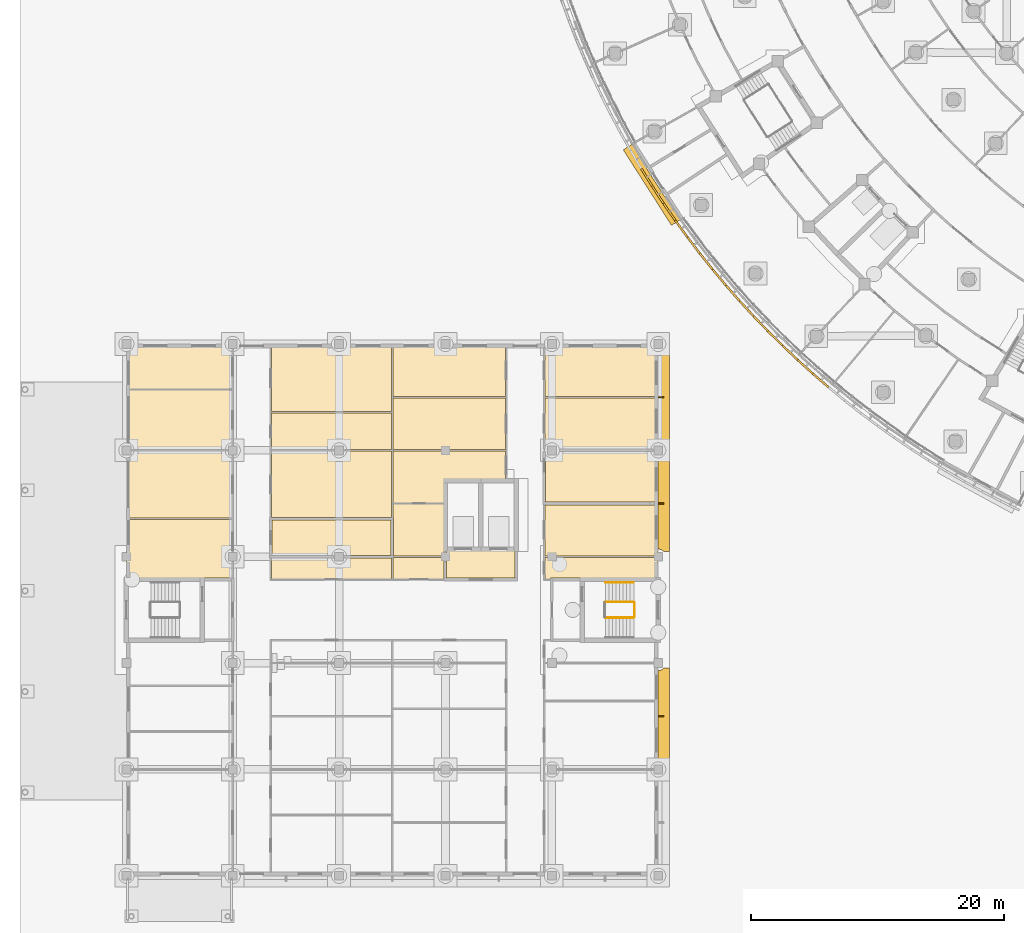
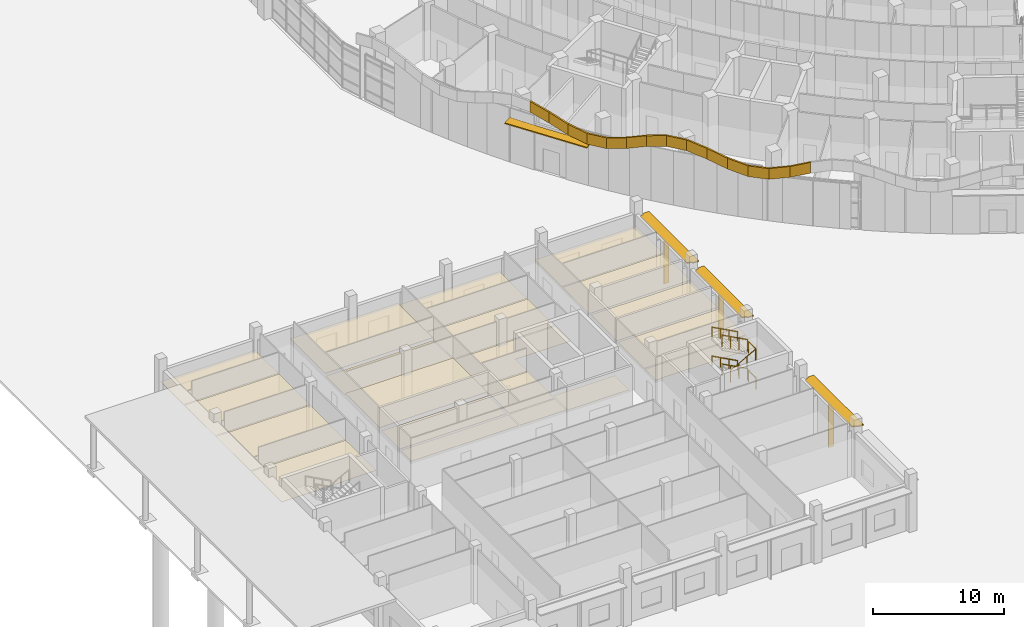
# One storey, part 118 of 146: 34 coverings, 7 railings, 7 shading devices.
"""IFC4 building model written with IfcOpenShell, lengths in metres."""

from ifc_helpers import new_model, si_unit, direction, frame, origin, origin_2d, place, context, subcontext, project, spatial, polyline, rectangle, circle, outline, extrude, material, layer, layer_set, material_profile, profile_set, type_object, element, save


model = new_model("IFC4")

# Units and contexts
model_context = context("Model", 3, precision=1e-05, world=origin(), true_north=direction((0.0, 1.0)))
body_context = subcontext(model_context, "Body", "Model", "MODEL_VIEW")
ifc_project = project(units=[si_unit("LENGTHUNIT", "METRE"), si_unit("AREAUNIT", "SQUARE_METRE"), si_unit("VOLUMEUNIT", "CUBIC_METRE"), si_unit("PLANEANGLEUNIT", "RADIAN"), si_unit("MASSUNIT", "GRAM", prefix="KILO")], contexts=[model_context])

# Site, building, storey
site_placement = place(None, origin())
site = spatial("IfcSite", under=ifc_project, at=site_placement, CompositionType="ELEMENT")
building_placement = place(site_placement, origin())
building = spatial("IfcBuilding", under=site, at=building_placement, Name="Bougainvillea Quay General Hospital", CompositionType="ELEMENT")
storey_placement = place(building_placement, origin())
storey = spatial("IfcBuildingStorey", under=building, at=storey_placement, Name="L00", CompositionType="ELEMENT", Elevation=0.0)

# Coverings
ifc_material_1 = material(Name="Powder-coated aluminium fascia, red", Category="aluminium")
ifc_layer_1 = layer(ifc_material_1, 0.14990234375)
ifc_layer_set_1 = layer_set([ifc_layer_1], Name="Powder-coated aluminium fascia, red")
covering_type_1 = type_object("IfcCoveringType", Name="Aluminium wave fascia ribbon red 150x1000", PredefinedType="CLADDING", material=ifc_layer_set_1)
covering_1_placement = place(storey_placement, frame((49.122314453125, 89.492919921875, 5.597412109375), z_axis=(0.147817272127, -0.236962457779, 0.960207710688), x_axis=(0.508120238181, -0.814746998776, -0.27928686245)))
element("IfcCovering", 1, at=covering_1_placement, inside=storey, type_object=covering_type_1, Name="Fascia ribbon red a01 11", PredefinedType="CLADDING", context=body_context, shape_type="SweptSolid", body=[
    extrude(outline(polyline([(0.0, 0.0), (1.6975355557701903, 1.8230181903985954e-16), (1.6993767831091506, -0.14986279782741968), (-0.0018108901758234362, -0.1499697204676549), (0.0, 0.0)])), origin(), (-0.27928686245, -2.8258346e-05, 0.960207710688), 1.0),
])
covering_2_placement = place(storey_placement, frame((49.98486328125, 88.10986328125, 5.122802734375), z_axis=(0.190049869453, -0.289586373781, 0.938094227272), x_axis=(0.51477122867, -0.784239352531, -0.346380166977)))
element("IfcCovering", 2, at=covering_2_placement, inside=storey, type_object=covering_type_1, Name="Fascia ribbon red a01 12", PredefinedType="CLADDING", context=body_context, shape_type="SweptSolid", body=[
    extrude(outline(polyline([(0.0, 0.0), (1.7376887107603451, 1.5341460740669888e-16), (1.7395197439140113, -0.15004255603412398), (-0.0018536718836691744, -0.1498636067514649), (0.0, 0.0)])), origin(), (-0.346380166977, 2.6146869e-05, 0.938094227272), 1.0),
])
covering_3_placement = place(storey_placement, frame((50.87939453125, 86.7470703125, 4.5205078125), z_axis=(0.129560154703, -0.189509569707, 0.973293526796), x_axis=(0.552734553197, -0.8011152955, -0.229562185514)))
element("IfcCovering", 3, at=covering_3_placement, inside=storey, type_object=covering_type_1, Name="Fascia ribbon red a01 13", PredefinedType="CLADDING", context=body_context, shape_type="SweptSolid", body=[
    extrude(outline(polyline([(0.0, 0.0), (1.674916877923805, -1.22514845490862e-16), (1.6765236145627005, -0.1499589303087575), (-0.0017923920800054752, -0.15004146523971088), (0.0, 0.0)])), origin(), (-0.229562185514, 0.000955865719, 0.973293526796), 1.0),
])
covering_4_placement = place(storey_placement, frame((51.80517578125, 85.4052734375, 4.1357421875), z_axis=(-0.019197556687, 0.026529956811, 0.999463663776), x_axis=(0.586520285031, -0.809272247792, 0.032747277754)))
element("IfcCovering", 4, at=covering_4_placement, inside=storey, type_object=covering_type_1, Name="Fascia ribbon red a01 14", PredefinedType="CLADDING", context=body_context, shape_type="SweptSolid", body=[
    extrude(outline(polyline([(0.0, 0.0), (1.630879858922105, -3.781578593016824e-17), (1.6325983994912918, -0.14989426982863344), (-0.0019411150799310828, -0.14995416981363946), (0.0, 0.0)])), origin(), (0.032747277754, -2.4307978e-05, 0.999463663776), 1.0),
])
covering_5_placement = place(storey_placement, frame((52.76171875, 84.08544921875, 4.189453125), z_axis=(-0.164671176502, 0.216462917499, 0.962303075427), x_axis=(0.582741164634, -0.765793670279, 0.271979391868)))
element("IfcCovering", 5, at=covering_5_placement, inside=storey, type_object=covering_type_1, Name="Fascia ribbon red a01 15", PredefinedType="CLADDING", context=body_context, shape_type="SweptSolid", body=[
    extrude(outline(polyline([(0.0, 0.0), (1.6938255398596371, -7.20113530437716e-17), (1.6956283966227812, -0.15011342609208686), (-0.0018444505922997575, -0.14989358044890838), (0.0, 0.0)])), origin(), (0.271979391868, -3.7708001e-05, 0.962303075427), 1.0),
])
covering_6_placement = place(storey_placement, frame((53.748779296875, 82.788330078125, 4.650634765625), z_axis=(-0.216045823397, 0.271913680223, 0.937756446366), x_axis=(0.584938067276, -0.732963231532, 0.347292900408)))
element("IfcCovering", 6, at=covering_6_placement, inside=storey, type_object=covering_type_1, Name="Fascia ribbon red a01 16", PredefinedType="CLADDING", context=body_context, shape_type="SweptSolid", body=[
    extrude(outline(polyline([(0.0, 0.0), (1.738392943915592, 1.2468324983583301e-17), (1.7402811411186612, -0.1500712720445033), (-0.0017894157496589952, -0.15011358411042086), (0.0, 0.0)])), origin(), (0.347292900408, -0.000699017699, 0.937756446366), 1.0),
])
covering_7_placement = place(storey_placement, frame((54.765625, 81.51416015625, 5.2548828125), z_axis=(-0.152975918309, 0.183066359093, 0.97112567497), x_axis=(0.623200304667, -0.744786197612, 0.238568439048)))
element("IfcCovering", 7, at=covering_7_placement, inside=storey, type_object=covering_type_1, Name="Fascia ribbon red a01 17", PredefinedType="CLADDING", context=body_context, shape_type="SweptSolid", body=[
    extrude(outline(polyline([(0.0, 0.0), (1.6786997636587624, -2.881267273380228e-17), (1.6802558474007232, -0.149952828525367), (-0.0017480670383655057, -0.1500713045867802), (0.0, 0.0)])), origin(), (0.238568439048, -0.000152658237, 0.97112567497), 1.0),
])
covering_8_placement = place(storey_placement, frame((55.811767578125, 80.263916015625, 5.655517578125), z_axis=(0.013775790239, -0.01448028386, 0.999800254542), x_axis=(0.659252826324, -0.751656113938, -0.019969911444)))
element("IfcCovering", 8, at=covering_8_placement, inside=storey, type_object=covering_type_1, Name="Fascia ribbon red a01 18", PredefinedType="CLADDING", context=body_context, shape_type="SweptSolid", body=[
    extrude(outline(polyline([(0.0, 0.0), (1.6301877381729313, 3.326467790457088e-17), (1.6320559318248529, -0.15004449156894203), (-0.001948303306560908, -0.14994830138111484), (0.0, 0.0)])), origin(), (-0.019969911444, -0.000808488897, 0.999800254542), 1.0),
])
covering_9_placement = place(storey_placement, frame((56.886474609375, 79.03857421875, 5.622802734375), z_axis=(0.178895937866, -0.19459233626, 0.964432509865), x_axis=(0.652534029306, -0.710161538776, -0.264329206562)))
element("IfcCovering", 9, at=covering_9_placement, inside=storey, type_object=covering_type_1, Name="Fascia ribbon red a01 19", PredefinedType="CLADDING", context=body_context, shape_type="SweptSolid", body=[
    extrude(outline(polyline([(0.0, 0.0), (1.690365107073262, 8.145068820797352e-18), (1.6921159423048837, -0.15008147489770435), (-0.0016748821701743147, -0.15004758741265695), (0.0, 0.0)])), origin(), (-0.264329206562, -6.6893264e-05, 0.964432509865), 1.0),
])
covering_10_placement = place(storey_placement, frame((57.989501953125, 77.838134765625, 5.175537109375), z_axis=(0.241273281361, -0.250607417685, 0.937540999585), x_axis=(0.650182579262, -0.675459651211, -0.347874795307)))
element("IfcCovering", 10, at=covering_10_placement, inside=storey, type_object=covering_type_1, Name="Fascia ribbon red a01 20", PredefinedType="CLADDING", context=body_context, shape_type="SweptSolid", body=[
    extrude(outline(polyline([(0.0, 0.0), (1.7386084001659112, -9.955686448848144e-17), (1.7404917862004294, -0.15018359417555893), (-0.001857673813423863, -0.1500800950200571), (0.0, 0.0)])), origin(), (-0.347874795307, -2.9789262e-05, 0.937540999585), 1.0),
])
covering_11_placement = place(storey_placement, frame((59.119873046875, 76.663818359375, 4.570068359375), z_axis=(0.176192143318, -0.173467644158, 0.968950620549), x_axis=(0.687903751126, -0.682388854523, -0.247252665121)))
element("IfcCovering", 11, at=covering_11_placement, inside=storey, type_object=covering_type_1, Name="Fascia ribbon red a01 21", PredefinedType="CLADDING", context=body_context, shape_type="SweptSolid", body=[
    extrude(outline(polyline([(0.0, 0.0), (1.6822692176931187, 1.6750923564901044e-16), (1.6840870486938337, -0.1498545163226235), (-0.0017100496019355497, -0.15018575037987283), (0.0, 0.0)])), origin(), (-0.247252665121, -0.00090251174, 0.968950620549), 1.0),
])
covering_12_placement = place(storey_placement, frame((60.277099609375, 75.515869140625, 4.15380859375), z_axis=(-0.005213100993, 0.004938419663, 0.999974217462), x_axis=(0.726142491911, -0.687506739628, 0.007180836087)))
element("IfcCovering", 12, at=covering_12_placement, inside=storey, type_object=covering_type_1, Name="Fascia ribbon red a01 22", PredefinedType="CLADDING", context=body_context, shape_type="SweptSolid", body=[
    extrude(outline(polyline([(0.0, 0.0), (1.6303108068950865, 4.566524025237384e-17), (1.6319069929189034, -0.1501181479957608), (-0.0016778251635567037, -0.14985596738982632), (0.0, 0.0)])), origin(), (0.007180836087, -1.954293e-06, 0.999974217462), 1.0),
])
covering_13_placement = place(storey_placement, frame((61.4609375, 74.39501953125, 4.165771484375), z_axis=(-0.190056343578, 0.172114690946, 0.966568734972), x_axis=(0.717053919713, -0.648142615037, 0.256407540445)))
element("IfcCovering", 13, at=covering_13_placement, inside=storey, type_object=covering_type_1, Name="Fascia ribbon red a01 23", PredefinedType="CLADDING", context=body_context, shape_type="SweptSolid", body=[
    extrude(outline(polyline([(0.0, 0.0), (1.6863770278290557, 1.3904892862126594e-16), (1.6880414498687848, -0.14994418958209377), (-0.0019357993503973936, -0.15011494475852658), (0.0, 0.0)])), origin(), (0.256407540445, -0.000231898252, 0.966568734972), 1.0),
])
covering_14_placement = place(storey_placement, frame((62.670166015625, 73.302001953125, 4.5986328125), z_axis=(-0.26294738617, 0.228047551276, 0.93747159235), x_axis=(0.709954851452, -0.612223768963, 0.34806057751)))
element("IfcCovering", 14, at=covering_14_placement, inside=storey, type_object=covering_type_1, Name="Fascia ribbon red a01 24", PredefinedType="CLADDING", context=body_context, shape_type="SweptSolid", body=[
    extrude(outline(polyline([(0.0, 0.0), (1.7386888508952567, -1.0213184464813452e-16), (1.7405558508880152, -0.15003557993320676), (-0.001959182610550154, -0.1499406187329875), (0.0, 0.0)])), origin(), (0.34806057751, -0.00092082559, 0.93747159235), 1.0),
])

# Railings
ifc_material_2 = material(Name="Stainless steel 304 balustrade", Category="steel")
railing_type_1 = type_object("IfcRailingType", Name="Stair guard 1100", PredefinedType="GUARDRAIL", material=ifc_material_2)
railing_1_placement = place(storey_placement, frame((48.514892578125, 54.02490234375, 1.35009765625)))
element("IfcRailing", 15, at=railing_1_placement, inside=storey, type_object=railing_type_1, Name="L00 ST-U2 stair guard 2", PredefinedType="GUARDRAIL", context=body_context, shape_type="SweptSolid", body=[
    extrude(circle(Radius=0.02392578125, at=origin_2d()), frame((0.0, 0.0, 1.076171875), z_axis=(0.0, 1.0, 0.0), x_axis=(-1.0, 0.0, 0.0)), (0.0, 0.0, 1.0), 1.150146484375),
    extrude(circle(Radius=0.02099609375, at=origin_2d()), origin(), (0.0, 0.0, 1.0), 1.052001953125),
    extrude(circle(Radius=0.02099609375, at=origin_2d()), frame((0.0, 1.150146484375, 0.0)), (0.0, 0.0, 1.0), 1.052001953125),
])
railing_2_placement = place(storey_placement, frame((48.465087890625, 55.22509765625, 1.5)))
element("IfcRailing", 16, at=railing_2_placement, inside=storey, type_object=railing_type_1, Name="L00 ST-U2 stair guard 3", PredefinedType="GUARDRAIL", context=body_context, shape_type="SweptSolid", body=[
    extrude(circle(Radius=0.02392578125, at=origin_2d()), frame((0.0, 0.0, 1.076171875), z_axis=(-0.881487111273, 0.0, 0.472208081951), x_axis=(0.0, -1.0, 0.0)), (0.0, 0.0, 1.0), 2.541259765625),
    extrude(circle(Radius=0.02099609375, at=origin_2d()), origin(), (0.0, 0.0, 1.0), 1.052001953125),
    extrude(circle(Radius=0.02099609375, at=origin_2d()), frame((-0.74658203125, 0.0, 0.39990234375)), (0.0, 0.0, 1.0), 1.052001953125),
    extrude(circle(Radius=0.02099609375, at=origin_2d()), frame((-1.493408203125, 0.0, 0.800048828125)), (0.0, 0.0, 1.0), 1.052001953125),
    extrude(circle(Radius=0.02099609375, at=origin_2d()), frame((-2.239990234375, 0.0, 1.199951171875)), (0.0, 0.0, 1.0), 1.052001953125),
])
railing_3_placement = place(storey_placement, frame((46.22509765625, 53.97509765625, 2.85009765625)))
element("IfcRailing", 17, at=railing_3_placement, inside=storey, type_object=railing_type_1, Name="L00 ST-U2 stair guard 5", PredefinedType="GUARDRAIL", context=body_context, shape_type="SweptSolid", body=[
    extrude(circle(Radius=0.02392578125, at=origin_2d()), frame((0.0, 0.0, 1.076171875), z_axis=(0.881487111273, 0.0, 0.472208081951), x_axis=(0.0, 1.0, 0.0)), (0.0, 0.0, 1.0), 2.541259765625),
    extrude(circle(Radius=0.02099609375, at=origin_2d()), origin(), (0.0, 0.0, 1.0), 1.052001953125),
    extrude(circle(Radius=0.02099609375, at=origin_2d()), frame((0.74658203125, 0.0, 0.39990234375)), (0.0, 0.0, 1.0), 1.052001953125),
    extrude(circle(Radius=0.02099609375, at=origin_2d()), frame((1.493408203125, 0.0, 0.800048828125)), (0.0, 0.0, 1.0), 1.052001953125),
    extrude(circle(Radius=0.02099609375, at=origin_2d()), frame((2.239990234375, 0.0, 1.199951171875)), (0.0, 0.0, 1.0), 1.052001953125),
])
railing_4_placement = place(storey_placement, frame((48.514892578125, 54.02490234375, 4.050048828125)))
element("IfcRailing", 18, at=railing_4_placement, inside=storey, type_object=railing_type_1, Name="L00 ST-U2 stair guard 6", PredefinedType="GUARDRAIL", context=body_context, shape_type="SweptSolid", body=[
    extrude(circle(Radius=0.02392578125, at=origin_2d()), frame((0.0, 0.0, 1.076171875), z_axis=(0.0, 1.0, 0.0), x_axis=(-1.0, 0.0, 0.0)), (0.0, 0.0, 1.0), 1.150146484375),
    extrude(circle(Radius=0.02099609375, at=origin_2d()), origin(), (0.0, 0.0, 1.0), 1.052001953125),
    extrude(circle(Radius=0.02099609375, at=origin_2d()), frame((0.0, 1.150146484375, 0.0)), (0.0, 0.0, 1.0), 1.052001953125),
])
railing_5_placement = place(storey_placement, frame((48.465087890625, 55.22509765625, 4.199951171875)))
element("IfcRailing", 19, at=railing_5_placement, inside=storey, type_object=railing_type_1, Name="L00 ST-U2 stair guard 7", PredefinedType="GUARDRAIL", context=body_context, shape_type="SweptSolid", body=[
    extrude(circle(Radius=0.02392578125, at=origin_2d()), frame((0.0, 0.0, 1.076171875), z_axis=(-0.881487111273, 0.0, 0.472208081951), x_axis=(0.0, -1.0, 0.0)), (0.0, 0.0, 1.0), 2.541259765625),
    extrude(circle(Radius=0.02099609375, at=origin_2d()), origin(), (0.0, 0.0, 1.0), 1.052001953125),
    extrude(circle(Radius=0.02099609375, at=origin_2d()), frame((-0.74658203125, 0.0, 0.39990234375)), (0.0, 0.0, 1.0), 1.052001953125),
    extrude(circle(Radius=0.02099609375, at=origin_2d()), frame((-1.493408203125, 0.0, 0.800048828125)), (0.0, 0.0, 1.0), 1.052001953125),
    extrude(circle(Radius=0.02099609375, at=origin_2d()), frame((-2.239990234375, 0.0, 1.199951171875)), (0.0, 0.0, 1.0), 1.052001953125),
])
ifc_material_3 = material(Name="Stainless steel 304 handrail", Category="steel")
railing_type_2 = type_object("IfcRailingType", Name="Stair handrail 900", PredefinedType="HANDRAIL", material=ifc_material_3)
for number, where, name in (
    (20, (48.465087890625, 56.77490234375, 1.5), "L00 ST-U2 stair handrail 2"),
    (21, (48.465087890625, 56.77490234375, 4.199951171875), "L00 ST-U2 stair handrail 4"),
):
    element("IfcRailing", number, at=place(storey_placement, frame(where)), inside=storey, type_object=railing_type_2, Name=name, PredefinedType="HANDRAIL", context=body_context, shape_type="SweptSolid", body=[
        extrude(circle(Radius=0.02392578125, at=origin_2d()), frame((0.0, 0.0, 0.8759765625), z_axis=(-0.881487111273, 0.0, 0.472208081951), x_axis=(0.0, -1.0, 0.0)), (0.0, 0.0, 1.0), 2.541259765625),
        extrude(circle(Radius=0.02099609375, at=origin_2d()), origin(), (0.0, 0.0, 1.0), 0.851806640625),
        extrude(circle(Radius=0.02099609375, at=origin_2d()), frame((-0.74658203125, 0.0, 0.39990234375)), (0.0, 0.0, 1.0), 0.851806640625),
        extrude(circle(Radius=0.02099609375, at=origin_2d()), frame((-1.493408203125, 0.0, 0.800048828125)), (0.0, 0.0, 1.0), 0.851806640625),
        extrude(circle(Radius=0.02099609375, at=origin_2d()), frame((-2.239990234375, 0.0, 1.199951171875)), (0.0, 0.0, 1.0), 0.851806640625),
    ])

# Shading devices
ifc_material_4 = material(Name="Powder-coated aluminium canopy soffit and fascia, white", Category="aluminium")
ifc_layer_2 = layer(ifc_material_4, 0.10009765625)
ifc_layer_set_2 = layer_set([ifc_layer_2], Name="Powder-coated aluminium canopy soffit and fascia, white")
shading_device_type_1 = type_object("IfcShadingDeviceType", Name="Sunshade 100", PredefinedType="USERDEFINED", material=ifc_layer_set_2)
shading_device_1_placement = place(storey_placement, frame((0.0, 0.0, 4.050048828125)))
element("IfcShadingDevice", 22, at=shading_device_1_placement, inside=storey, type_object=shading_device_type_1, Name="Sunshade 0", ObjectType="Sunshade", PredefinedType="USERDEFINED", context=body_context, shape_type="SweptSolid", body=[
    extrude(outline(polyline([(50.39990234375, 49.800048828125), (50.39990234375, 42.60009765625), (50.51708984375, 42.58837890625), (50.629638671875, 42.554443359375), (50.7333984375, 42.498779296875), (50.84619140625, 42.39990234375), (51.300048828125, 42.39990234375), (51.300048828125, 50.0), (50.84619140625, 50.0), (50.7333984375, 49.901123046875), (50.629638671875, 49.845703125), (50.51708984375, 49.8115234375), (50.39990234375, 49.800048828125)])), origin(), (0.0, 0.0, 1.0), 0.099853515625),
])
shading_device_2_placement = place(storey_placement, frame((0.0, 0.0, 4.050048828125)))
element("IfcShadingDevice", 23, at=shading_device_2_placement, inside=storey, type_object=shading_device_type_1, Name="Sunshade 0", ObjectType="Sunshade", PredefinedType="USERDEFINED", context=body_context, shape_type="SweptSolid", body=[
    extrude(outline(polyline([(50.39990234375, 66.60009765625), (50.39990234375, 59.39990234375), (50.51708984375, 59.388427734375), (50.629638671875, 59.354248046875), (50.7333984375, 59.298828125), (50.84619140625, 59.199951171875), (51.300048828125, 59.199951171875), (51.300048828125, 66.800048828125), (50.84619140625, 66.800048828125), (50.7333984375, 66.701171875), (50.629638671875, 66.645751953125), (50.51708984375, 66.611572265625), (50.39990234375, 66.60009765625)])), origin(), (0.0, 0.0, 1.0), 0.099853515625),
])
shading_device_3_placement = place(storey_placement, frame((0.0, 0.0, 4.050048828125)))
element("IfcShadingDevice", 24, at=shading_device_3_placement, inside=storey, type_object=shading_device_type_1, Name="Sunshade 0", ObjectType="Sunshade", PredefinedType="USERDEFINED", context=body_context, shape_type="SweptSolid", body=[
    extrude(outline(polyline([(50.39990234375, 75.0), (50.39990234375, 67.800048828125), (50.51708984375, 67.78857421875), (50.629638671875, 67.75439453125), (50.7333984375, 67.698974609375), (50.84619140625, 67.60009765625), (51.300048828125, 67.60009765625), (51.300048828125, 75.199951171875), (50.84619140625, 75.199951171875), (50.7333984375, 75.10107421875), (50.629638671875, 75.045654296875), (50.51708984375, 75.011474609375), (50.39990234375, 75.0)])), origin(), (0.0, 0.0, 1.0), 0.099853515625),
])
shading_device_4_placement = place(storey_placement, frame((0.0, 0.0, 4.050048828125)))
element("IfcShadingDevice", 25, at=shading_device_4_placement, inside=storey, type_object=shading_device_type_1, Name="Sunshade 0", ObjectType="Sunshade", PredefinedType="USERDEFINED", context=body_context, shape_type="SweptSolid", body=[
    extrude(outline(polyline([(51.446044921875, 84.964111328125), (52.166259765625, 85.423583984375), (51.7958984375, 85.94091796875), (50.827880859375, 87.364013671875), (49.89599609375, 88.81201171875), (48.9990234375, 90.281005859375), (48.362060546875, 91.385498046875), (47.64208984375, 90.926025390625), (51.446044921875, 84.964111328125)])), origin(), (0.0, 0.0, 1.0), 0.099853515625),
])

# Coverings
ifc_material_5 = material(Name="Mineral fibre ceiling tile")
ifc_layer_3 = layer(ifc_material_5, 0.030029296875)
ifc_layer_set_3 = layer_set([ifc_layer_3], Name="Mineral fibre ceiling tile")
covering_type_2 = type_object("IfcCoveringType", Name="Suspended ceiling mineral fibre tile", PredefinedType="CEILING", material=ifc_layer_set_3)
covering_15_placement = place(storey_placement, frame((0.0, 0.0, 2.699951171875)))
element("IfcCovering", 26, at=covering_15_placement, inside=storey, type_object=covering_type_2, Name="Ceiling Lift Lobby LB-U1", PredefinedType="CEILING", context=body_context, shape_type="SweptSolid", body=[
    extrude(outline(polyline([(33.699951171875, 57.10009765625), (39.10009765625, 57.10009765625), (39.10009765625, 59.300048828125), (33.699951171875, 59.300048828125), (33.699951171875, 57.10009765625)])), origin(), (0.0, 0.0, 1.0), 0.030029296875),
])
covering_16_placement = place(storey_placement, frame((0.0, 0.0, 3.0)))
element("IfcCovering", 27, at=covering_16_placement, inside=storey, type_object=covering_type_2, Name="Ceiling Emergency Resuscitation Bay 01", PredefinedType="CEILING", context=body_context, shape_type="SweptSolid", body=[
    extrude(outline(polyline([(8.39990234375, 57.050048828125), (14.300048828125, 57.050048828125), (14.300048828125, 57.10009765625), (16.75, 57.10009765625), (16.75, 61.75), (8.39990234375, 61.75), (8.39990234375, 57.050048828125)])), origin(), (0.0, 0.0, 1.0), 0.030029296875),
])
covering_17_placement = place(storey_placement, frame((0.0, 0.0, 3.0)))
element("IfcCovering", 28, at=covering_17_placement, inside=storey, type_object=covering_type_2, Name="Ceiling Emergency Resuscitation Bay 02", PredefinedType="CEILING", context=body_context, shape_type="SweptSolid", body=[
    extrude(outline(polyline([(8.39990234375, 61.85009765625), (16.75, 61.85009765625), (16.75, 67.14990234375), (8.39990234375, 67.14990234375), (8.39990234375, 61.85009765625)])), origin(), (0.0, 0.0, 1.0), 0.030029296875),
])
covering_18_placement = place(storey_placement, frame((0.0, 0.0, 3.0)))
element("IfcCovering", 29, at=covering_18_placement, inside=storey, type_object=covering_type_2, Name="Ceiling Emergency Resuscitation Bay 03", PredefinedType="CEILING", context=body_context, shape_type="SweptSolid", body=[
    extrude(outline(polyline([(8.39990234375, 67.25), (16.75, 67.25), (16.75, 71.949951171875), (8.39990234375, 71.949951171875), (8.39990234375, 67.25)])), origin(), (0.0, 0.0, 1.0), 0.030029296875),
])
covering_19_placement = place(storey_placement, frame((0.0, 0.0, 3.0)))
element("IfcCovering", 30, at=covering_19_placement, inside=storey, type_object=covering_type_2, Name="Ceiling Emergency Trauma Room", PredefinedType="CEILING", context=body_context, shape_type="SweptSolid", body=[
    extrude(outline(polyline([(8.39990234375, 75.60009765625), (8.39990234375, 72.050048828125), (16.75, 72.050048828125), (16.75, 75.60009765625), (8.39990234375, 75.60009765625)])), origin(), (0.0, 0.0, 1.0), 0.030029296875),
])
covering_20_placement = place(storey_placement, frame((0.0, 0.0, 2.800048828125)))
element("IfcCovering", 31, at=covering_20_placement, inside=storey, type_object=covering_type_2, Name="Ceiling Emergency Clean Utility", PredefinedType="CEILING", context=body_context, shape_type="SweptSolid", body=[
    extrude(outline(polyline([(19.85009765625, 57.050048828125), (29.35009765625, 57.050048828125), (29.35009765625, 58.699951171875), (19.85009765625, 58.699951171875), (19.85009765625, 57.050048828125)])), origin(), (0.0, 0.0, 1.0), 0.030029296875),
])
covering_21_placement = place(storey_placement, frame((0.0, 0.0, 2.800048828125)))
element("IfcCovering", 32, at=covering_21_placement, inside=storey, type_object=covering_type_2, Name="Ceiling Emergency Equipment Store", PredefinedType="CEILING", context=body_context, shape_type="SweptSolid", body=[
    extrude(outline(polyline([(29.300048828125, 58.89990234375), (29.300048828125, 61.699951171875), (19.89990234375, 61.699951171875), (19.89990234375, 58.89990234375), (29.300048828125, 58.89990234375)])), origin(), (0.0, 0.0, 1.0), 0.030029296875),
])
covering_22_placement = place(storey_placement, frame((0.0, 0.0, 3.0)))
element("IfcCovering", 33, at=covering_22_placement, inside=storey, type_object=covering_type_2, Name="Ceiling Emergency Resuscitation Bay 04", PredefinedType="CEILING", context=body_context, shape_type="SweptSolid", body=[
    extrude(outline(polyline([(29.35009765625, 61.89990234375), (29.35009765625, 67.14990234375), (19.85009765625, 67.14990234375), (19.85009765625, 61.89990234375), (29.35009765625, 61.89990234375)])), origin(), (0.0, 0.0, 1.0), 0.030029296875),
])
covering_23_placement = place(storey_placement, frame((0.0, 0.0, 2.800048828125)))
element("IfcCovering", 34, at=covering_23_placement, inside=storey, type_object=covering_type_2, Name="Ceiling Emergency Dirty Utility", PredefinedType="CEILING", context=body_context, shape_type="SweptSolid", body=[
    extrude(outline(polyline([(29.35009765625, 70.14990234375), (19.85009765625, 70.14990234375), (19.85009765625, 67.25), (29.35009765625, 67.25), (29.35009765625, 70.14990234375)])), origin(), (0.0, 0.0, 1.0), 0.030029296875),
])
covering_24_placement = place(storey_placement, frame((0.0, 0.0, 3.0)))
element("IfcCovering", 35, at=covering_24_placement, inside=storey, type_object=covering_type_2, Name="Ceiling Emergency Resuscitation Bay 05", PredefinedType="CEILING", context=body_context, shape_type="SweptSolid", body=[
    extrude(outline(polyline([(19.85009765625, 75.60009765625), (19.85009765625, 70.25), (29.35009765625, 70.25), (29.35009765625, 75.60009765625), (19.85009765625, 75.60009765625)])), origin(), (0.0, 0.0, 1.0), 0.030029296875),
])
covering_25_placement = place(storey_placement, frame((0.0, 0.0, 2.800048828125)))
element("IfcCovering", 36, at=covering_25_placement, inside=storey, type_object=covering_type_2, Name="Ceiling Emergency Majors Bay 01", PredefinedType="CEILING", context=body_context, shape_type="SweptSolid", body=[
    extrude(outline(polyline([(29.5, 58.699951171875), (29.449951171875, 58.699951171875), (29.449951171875, 57.050048828125), (33.5, 57.050048828125), (33.5, 58.75), (29.5, 58.75), (29.5, 58.699951171875)])), origin(), (0.0, 0.0, 1.0), 0.030029296875),
])
covering_26_placement = place(storey_placement, frame((0.0, 0.0, 2.800048828125)))
element("IfcCovering", 37, at=covering_26_placement, inside=storey, type_object=covering_type_2, Name="Ceiling Emergency Majors Bay 02", PredefinedType="CEILING", context=body_context, shape_type="SweptSolid", body=[
    extrude(outline(polyline([(33.5, 58.85009765625), (33.5, 59.5), (33.550048828125, 59.5), (33.550048828125, 62.949951171875), (29.449951171875, 62.949951171875), (29.449951171875, 61.89990234375), (29.5, 61.89990234375), (29.5, 58.85009765625), (33.5, 58.85009765625)])), origin(), (0.0, 0.0, 1.0), 0.030029296875),
])
covering_27_placement = place(storey_placement, frame((0.0, 0.0, 2.800048828125)))
element("IfcCovering", 38, at=covering_27_placement, inside=storey, type_object=covering_type_2, Name="Ceiling Emergency Majors Bay 03", PredefinedType="CEILING", context=body_context, shape_type="SweptSolid", body=[
    extrude(outline(polyline([(33.550048828125, 63.050048828125), (33.550048828125, 64.85009765625), (38.35009765625, 64.85009765625), (38.35009765625, 67.14990234375), (29.449951171875, 67.14990234375), (29.449951171875, 63.050048828125), (33.550048828125, 63.050048828125)])), origin(), (0.0, 0.0, 1.0), 0.030029296875),
])
covering_28_placement = place(storey_placement, frame((0.0, 0.0, 2.800048828125)))
element("IfcCovering", 39, at=covering_28_placement, inside=storey, type_object=covering_type_2, Name="Ceiling Emergency Majors Isolation Room 01", PredefinedType="CEILING", context=body_context, shape_type="SweptSolid", body=[
    extrude(outline(polyline([(29.449951171875, 71.35009765625), (29.449951171875, 67.25), (38.35009765625, 67.25), (38.35009765625, 71.35009765625), (29.449951171875, 71.35009765625)])), origin(), (0.0, 0.0, 1.0), 0.030029296875),
])
covering_29_placement = place(storey_placement, frame((0.0, 0.0, 2.800048828125)))
element("IfcCovering", 40, at=covering_29_placement, inside=storey, type_object=covering_type_2, Name="Ceiling Emergency Observation Bay 01", PredefinedType="CEILING", context=body_context, shape_type="SweptSolid", body=[
    extrude(outline(polyline([(29.449951171875, 75.60009765625), (29.449951171875, 71.449951171875), (38.35009765625, 71.449951171875), (38.35009765625, 75.60009765625), (29.449951171875, 75.60009765625)])), origin(), (0.0, 0.0, 1.0), 0.030029296875),
])
covering_30_placement = place(storey_placement, frame((0.0, 0.0, 2.800048828125)))
element("IfcCovering", 41, at=covering_30_placement, inside=storey, type_object=covering_type_2, Name="Ceiling Emergency Medication Room", PredefinedType="CEILING", context=body_context, shape_type="SweptSolid", body=[
    extrude(outline(polyline([(50.39990234375, 58.75), (41.449951171875, 58.75), (41.449951171875, 57.050048828125), (41.89990234375, 57.050048828125), (41.89990234375, 57.10009765625), (44.5, 57.10009765625), (44.5, 57.050048828125), (50.39990234375, 57.050048828125), (50.39990234375, 58.75)])), origin(), (0.0, 0.0, 1.0), 0.030029296875),
])
covering_31_placement = place(storey_placement, frame((0.0, 0.0, 2.800048828125)))
element("IfcCovering", 42, at=covering_31_placement, inside=storey, type_object=covering_type_2, Name="Ceiling Emergency Majors Bay 04", PredefinedType="CEILING", context=body_context, shape_type="SweptSolid", body=[
    extrude(outline(polyline([(50.39990234375, 62.89990234375), (41.449951171875, 62.89990234375), (41.449951171875, 58.85009765625), (50.39990234375, 58.85009765625), (50.39990234375, 62.89990234375)])), origin(), (0.0, 0.0, 1.0), 0.030029296875),
])
covering_32_placement = place(storey_placement, frame((0.0, 0.0, 2.800048828125)))
element("IfcCovering", 43, at=covering_32_placement, inside=storey, type_object=covering_type_2, Name="Ceiling Emergency Linen Store", PredefinedType="CEILING", context=body_context, shape_type="SweptSolid", body=[
    extrude(outline(polyline([(50.39990234375, 67.10009765625), (41.5, 67.10009765625), (41.5, 63.10009765625), (50.39990234375, 63.10009765625), (50.39990234375, 67.10009765625)])), origin(), (0.0, 0.0, 1.0), 0.030029296875),
])
covering_33_placement = place(storey_placement, frame((0.0, 0.0, 2.800048828125)))
element("IfcCovering", 44, at=covering_33_placement, inside=storey, type_object=covering_type_2, Name="Ceiling Emergency Majors Bay 05", PredefinedType="CEILING", context=body_context, shape_type="SweptSolid", body=[
    extrude(outline(polyline([(50.39990234375, 71.35009765625), (41.449951171875, 71.35009765625), (41.449951171875, 67.300048828125), (50.39990234375, 67.300048828125), (50.39990234375, 71.35009765625)])), origin(), (0.0, 0.0, 1.0), 0.030029296875),
])
covering_34_placement = place(storey_placement, frame((0.0, 0.0, 2.800048828125)))
element("IfcCovering", 45, at=covering_34_placement, inside=storey, type_object=covering_type_2, Name="Ceiling Emergency Majors Bay 06", PredefinedType="CEILING", context=body_context, shape_type="SweptSolid", body=[
    extrude(outline(polyline([(41.449951171875, 75.60009765625), (41.449951171875, 71.449951171875), (50.39990234375, 71.449951171875), (50.39990234375, 75.60009765625), (41.449951171875, 75.60009765625)])), origin(), (0.0, 0.0, 1.0), 0.030029296875),
])

# Shading devices
ifc_material_6 = material(Name="Powder-coated aluminium fin, white", Category="aluminium")
ifc_material_profile = material_profile(ifc_material_6, rectangle(XDim=0.449951171875, YDim=0.10009765625, at=origin_2d()))
ifc_profile_set = profile_set([ifc_material_profile], Name="Powder-coated aluminium fin, white")
shading_device_type_2 = type_object("IfcShadingDeviceType", Name="Vertical fin 450x100", PredefinedType="USERDEFINED", material=ifc_profile_set)
for number, where, z_axis, x_axis, name in (
    (46, (50.625, 46.199951171875, 0.0), (0.0, 0.0, 1.0), (1.0, 0.0, 0.0), "Vertical fin 00b 1"),
    (47, (50.625, 63.0, 0.0), (0.0, 0.0, 1.0), (1.0, 0.0, 0.0), "Vertical fin 00e 1"),
    (48, (50.625, 71.39990234375, 0.0), (0.0, 0.0, 1.0), (1.0, 0.0, 0.0), "Vertical fin 00f 1"),
):
    element("IfcShadingDevice", number, at=place(storey_placement, frame(where, z_axis=z_axis, x_axis=x_axis)), inside=storey, type_object=shading_device_type_2, Name=name, ObjectType="Vertical fin", PredefinedType="USERDEFINED", context=body_context, shape_type="SweptSolid", body=[
        extrude(rectangle(XDim=0.449951171875, YDim=0.10009765625, at=origin_2d()), origin(), (0.0, 0.0, 1.0), 4.050048828125),
    ])

save(model, "model.ifc")
